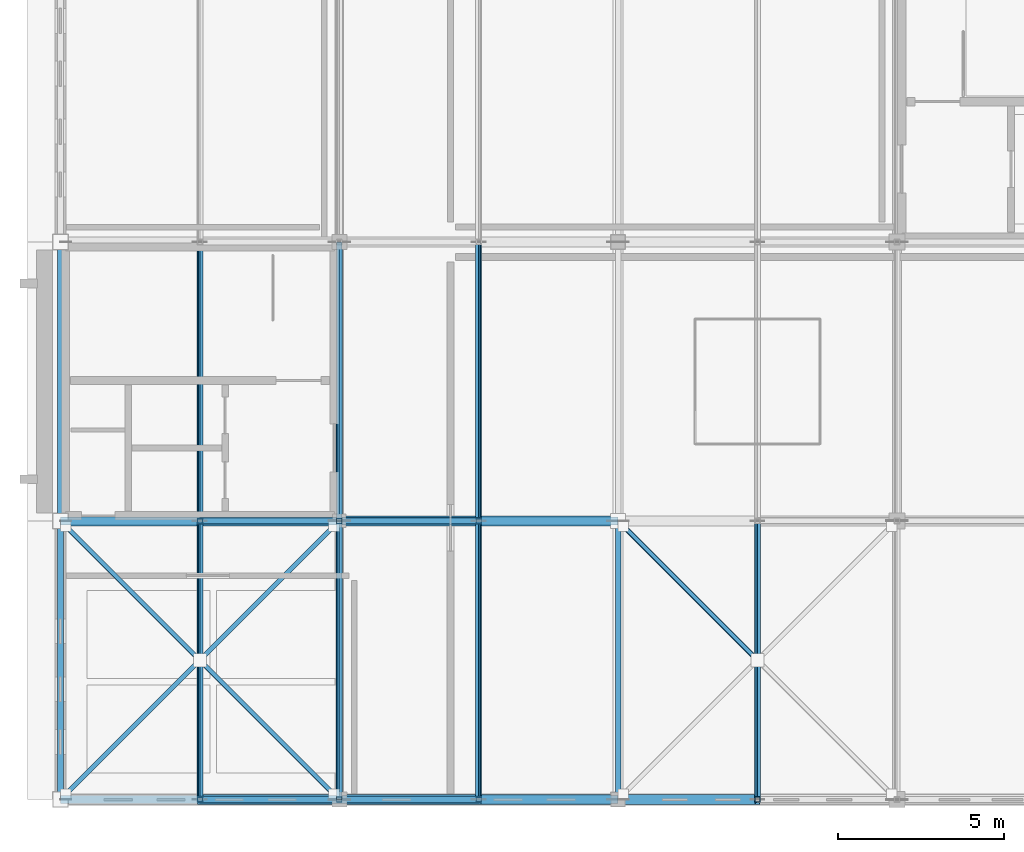
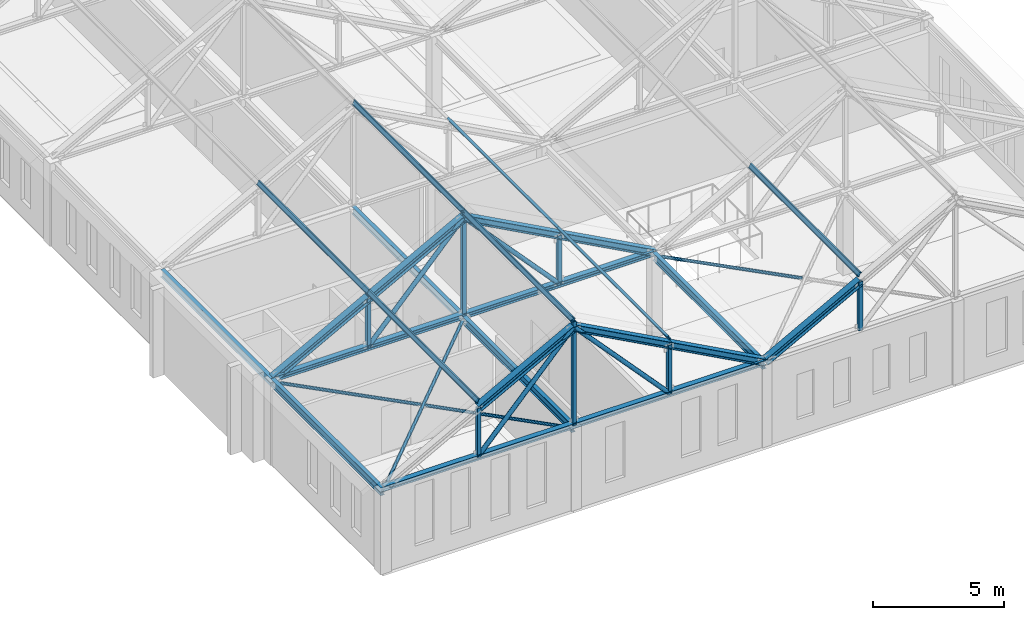
# One storey, part 2 of 36: 32 members, 5 beams.
"""IFC4 building model written with IfcOpenShell, lengths in metres."""

import ifcopenshell
import ifcopenshell.guid

model = None  # the IFC model being written
_history = None  # IfcOwnerHistory: only IFC2X3 demands one
_inside = {}  # id of a spatial element -> (the spatial element, [elements in it])
_under = {}  # id of a project, library or spatial element -> (it, [spatial elements below it])
_declared = {}  # id of a project -> (the project, [libraries it declares])
_typed = {}  # id of a type object -> (the type object, [elements of that type])
_made_of = {}  # id of a material, layer set ... -> (it, [elements and type objects made of it])


def new_model(schema):
    """Start an empty IFC model of exactly this schema.

    Asked for "IFC4X3", IfcOpenShell would pick the latest addendum, in which some entities
    have other attributes; the version numbers below select the first issue.
    IFC2X3 requires an IfcOwnerHistory on every rooted entity: one is made here for all.
    """
    global model, _history
    if schema == "IFC4X3":
        model = ifcopenshell.file(schema_version=(4, 3, 0, 0))
    else:
        model = ifcopenshell.file(schema=schema)
    _inside.clear()
    _under.clear()
    _declared.clear()
    _typed.clear()
    _made_of.clear()
    _history = None
    if model.schema == "IFC2X3":
        org = make("IfcOrganization", Name="unknown")
        user = make(
            "IfcPersonAndOrganization",
            ThePerson=make("IfcPerson", FamilyName="unknown"),
            TheOrganization=org,
        )
        app = make(
            "IfcApplication",
            ApplicationDeveloper=org,
            Version="unknown",
            ApplicationFullName="unknown",
            ApplicationIdentifier="unknown",
        )
        _history = make(
            "IfcOwnerHistory",
            OwningUser=user,
            OwningApplication=app,
            ChangeAction="ADDED",
            CreationDate=0,
        )
    return model


def make(cls, **values):
    """One entity of the class cls with the attributes given. An attribute that is None is left unset."""
    return model.create_entity(
        cls, **{name: value for name, value in values.items() if value is not None}
    )


def rooted(cls, **values):
    """An entity with a GlobalId (a new one), such as an element, a storey or a relation."""
    return make(cls, GlobalId=ifcopenshell.guid.new(), OwnerHistory=_history, **values)


def si_unit(unit_type, name, prefix=None):
    """IfcSIUnit, for example si_unit("LENGTHUNIT", "METRE", prefix="MILLI")."""
    return make("IfcSIUnit", UnitType=unit_type, Prefix=prefix, Name=name)


def assignment(units):
    """IfcUnitAssignment: the units of a project."""
    return None if units is None else make("IfcUnitAssignment", Units=units)


def point(xyz):
    """IfcCartesianPoint."""
    return None if xyz is None else make("IfcCartesianPoint", Coordinates=xyz)


def direction(xyz):
    """IfcDirection."""
    return None if xyz is None else make("IfcDirection", DirectionRatios=xyz)


def frame(location, z_axis=None, x_axis=None):
    """IfcAxis2Placement3D, a coordinate frame: its origin and axes. An axis left out is left unset."""
    return make(
        "IfcAxis2Placement3D",
        Location=point(location),
        Axis=direction(z_axis),
        RefDirection=direction(x_axis),
    )


def frame_2d(location, x_axis=None):
    """IfcAxis2Placement2D, a coordinate frame in the plane: its origin and x axis."""
    return make(
        "IfcAxis2Placement2D", Location=point(location), RefDirection=direction(x_axis)
    )


def origin():
    """The frame at (0, 0, 0) with its axes left unset."""
    return frame((0.0, 0.0, 0.0))


def origin_2d():
    """The frame at (0, 0) in the plane with its x axis left unset."""
    return frame_2d((0.0, 0.0))


def place(relative_to, where):
    """IfcLocalPlacement: puts the frame where relative to a parent placement (None: the world)."""
    return make(
        "IfcLocalPlacement", PlacementRelTo=relative_to, RelativePlacement=where
    )


def context(
    kind, dimensions, precision=None, world=None, true_north=None, identifier=None
):
    """IfcGeometricRepresentationContext, for example the 3D "Model" context."""
    return make(
        "IfcGeometricRepresentationContext",
        ContextIdentifier=identifier,
        ContextType=kind,
        CoordinateSpaceDimension=dimensions,
        Precision=precision,
        WorldCoordinateSystem=world,
        TrueNorth=true_north,
    )


def subcontext(parent, identifier, kind, view, scale=None):
    """IfcGeometricRepresentationSubContext, for example "Body" below "Model"."""
    return make(
        "IfcGeometricRepresentationSubContext",
        ContextIdentifier=identifier,
        ContextType=kind,
        ParentContext=parent,
        TargetScale=scale,
        TargetView=view,
    )


def project(units=None, contexts=None):
    """IfcProject with its units and contexts."""
    return rooted(
        "IfcProject",
        Name="project",
        RepresentationContexts=contexts,
        UnitsInContext=assignment(units),
    )


def spatial(cls, under=None, at=None, **own):
    """A site, building, storey or space (cls), placed at a placement, below another one or the project."""
    s = rooted(cls, ObjectPlacement=at, **own)
    if under is not None:
        _under.setdefault(under.id(), (under, []))[1].append(s)
    return s


def profile(cls, at=None, kind="AREA", **sizes):
    """A parametric profile (cls). Its sizes go by their IFC names, for example OverallWidth=200.0."""
    return make(cls, ProfileType=kind, Position=at, **sizes)


def hollow_rectangle(**sizes):
    """IfcRectangleHollowProfileDef."""
    return profile("IfcRectangleHollowProfileDef", **sizes)


def hollow_circle(**sizes):
    """IfcCircleHollowProfileDef."""
    return profile("IfcCircleHollowProfileDef", **sizes)


def i_section(**sizes):
    """IfcIShapeProfileDef."""
    return profile("IfcIShapeProfileDef", **sizes)


def extrude(swept, where, along, depth):
    """IfcExtrudedAreaSolid: the profile swept, set in the frame where, extruded along a direction by depth."""
    return make(
        "IfcExtrudedAreaSolid",
        SweptArea=swept,
        Position=where,
        ExtrudedDirection=direction(along),
        Depth=depth,
    )


def shape(context_of_items, identifier, shape_type, items):
    """IfcShapeRepresentation: the items that make up one representation, for example the "Body"."""
    return make(
        "IfcShapeRepresentation",
        ContextOfItems=context_of_items,
        RepresentationIdentifier=identifier,
        RepresentationType=shape_type,
        Items=items,
    )


def material(Name=None, Category=None):
    """IfcMaterial."""
    return make("IfcMaterial", Name=Name, Category=Category)


def material_profile(
    of_material, cross_section, Name=None, Category=None, Priority=None
):
    """IfcMaterialProfile: a cross section and its material."""
    return make(
        "IfcMaterialProfile",
        Name=Name,
        Material=of_material,
        Profile=cross_section,
        Priority=Priority,
        Category=Category,
    )


def profile_set(profiles, Name=None, composite=None):
    """IfcMaterialProfileSet."""
    return make(
        "IfcMaterialProfileSet",
        Name=Name,
        MaterialProfiles=profiles,
        CompositeProfile=composite,
    )


def made_of(thing, what):
    """Note that an element or type object is made of a material, layer set ...; save() writes the relation."""
    if what is not None:
        _made_of.setdefault(what.id(), (what, []))[1].append(thing)
    return thing


def type_object(cls, material=None, **own):
    """A type object (cls), such as IfcWallType, which elements share."""
    return made_of(rooted(cls, **own), material)


def element(
    cls,
    number,
    at=None,
    inside=None,
    cuts=None,
    type_object=None,
    material=None,
    context=None,
    identifier="Body",
    shape_type=None,
    held_by="IfcProductDefinitionShape",
    body=None,
    shapes=None,
    **own,
):
    """One element of the class cls, such as IfcWall. Its Tag is "e" and its number.

    at: its placement. inside: the storey or other place that contains it. cuts: it is an
    opening in that element (IfcRelVoidsElement). A single representation is given by context,
    identifier, shape_type and body (its items); several are given by shapes. held_by: the class
    of the entity that holds the representations. save() writes the other relations.
    """
    e = rooted(cls, Tag="e%d" % number, ObjectPlacement=at, **own)
    if body is not None:
        shapes = [shape(context, identifier, shape_type, body)]
    if shapes is not None:
        e.Representation = make(held_by, Representations=shapes)
    if inside is not None:
        _inside.setdefault(inside.id(), (inside, []))[1].append(e)
    if cuts is not None:
        rooted(
            "IfcRelVoidsElement", RelatingBuildingElement=cuts, RelatedOpeningElement=e
        )
    if type_object is not None:
        _typed.setdefault(type_object.id(), (type_object, []))[1].append(e)
    return made_of(e, material)


def aggregate(whole, parts):
    """IfcRelAggregates: a whole, such as a stair, and the parts it consists of."""
    return rooted("IfcRelAggregates", RelatingObject=whole, RelatedObjects=parts)


def save(model, path):
    """Write the relations noted so far, then the file.

    IfcRelAggregates (storeys below a building ...), IfcRelContainedInSpatialStructure (elements
    in a storey), IfcRelDefinesByType, IfcRelAssociatesMaterial and IfcRelDeclares: one each for
    every whole, place, type object, material and project.
    """
    for whole, parts in _under.values():
        aggregate(whole, parts)
    for where, things in _inside.values():
        rooted(
            "IfcRelContainedInSpatialStructure",
            RelatedElements=things,
            RelatingStructure=where,
        )
    for kind, things in _typed.values():
        rooted("IfcRelDefinesByType", RelatedObjects=things, RelatingType=kind)
    for what, things in _made_of.values():
        rooted("IfcRelAssociatesMaterial", RelatedObjects=things, RelatingMaterial=what)
    for by, libraries in _declared.values():
        rooted("IfcRelDeclares", RelatingContext=by, RelatedDefinitions=libraries)
    model.write(path)


model = new_model("IFC4")

# Units and contexts
model_context = context("Model", 3, precision=1e-05, world=origin(), true_north=direction((0.0, 1.0)))
body_context = subcontext(model_context, "Body", "Model", "MODEL_VIEW")
ifc_project = project(units=[si_unit("LENGTHUNIT", "METRE"), si_unit("AREAUNIT", "SQUARE_METRE"), si_unit("VOLUMEUNIT", "CUBIC_METRE"), si_unit("PLANEANGLEUNIT", "RADIAN"), si_unit("MASSUNIT", "GRAM", prefix="KILO")], contexts=[model_context])

# Site, building, storey
site_placement = place(None, origin())
site = spatial("IfcSite", under=ifc_project, at=site_placement, CompositionType="ELEMENT")
building_placement = place(site_placement, origin())
building = spatial("IfcBuilding", under=site, at=building_placement, Name="Kveldsbrygga Polytechnic", CompositionType="ELEMENT")
storey_placement = place(building_placement, frame((0.0, 0.0, 26.179931640625)))
storey = spatial("IfcBuildingStorey", under=building, at=storey_placement, Name="L06", CompositionType="ELEMENT", Elevation=26.179931640625)

# Beams
ifc_material = material(Name="Steel S355", Category="steel")
ifc_material_profile_1 = material_profile(ifc_material, i_section(OverallWidth=0.169921875, OverallDepth=0.360107421875, WebThickness=0.008056640625, FlangeThickness=0.0126953125, FilletRadius=0.01806640625, at=origin_2d()), Name="IPE 360")
ifc_profile_set_1 = profile_set([ifc_material_profile_1], Name="Steel S355")
beam_type = type_object("IfcBeamType", Name="BM-STL-IPE360", PredefinedType="BEAM", material=ifc_profile_set_1)
beam_1_placement = place(storey_placement, frame((126.0, 16.800048828125, 3.66015625), z_axis=(0.0, 1.0, 0.0), x_axis=(-1.0, 0.0, 0.0)))
element("IfcBeam", 1, at=beam_1_placement, inside=storey, type_object=beam_type, Name="Attic Eaves Tie Beam BMY-L06-TOP-15-02", PredefinedType="BEAM", context=body_context, shape_type="SweptSolid", body=[
    extrude(i_section(OverallWidth=0.169921875, OverallDepth=0.360107421875, WebThickness=0.008056640625, FlangeThickness=0.0126953125, FilletRadius=0.01806640625, at=origin_2d()), origin(), (0.0, 0.0, 1.0), 8.39990234375),
])
beam_2_placement = place(storey_placement, frame((126.0, 25.199951171875, 3.66015625), z_axis=(0.0, 1.0, 0.0), x_axis=(-1.0, 0.0, 0.0)))
element("IfcBeam", 2, at=beam_2_placement, inside=storey, type_object=beam_type, Name="Attic Eaves Tie Beam BMY-L06-TOP-15-03", PredefinedType="BEAM", context=body_context, shape_type="SweptSolid", body=[
    extrude(i_section(OverallWidth=0.169921875, OverallDepth=0.360107421875, WebThickness=0.008056640625, FlangeThickness=0.0126953125, FilletRadius=0.01806640625, at=origin_2d()), origin(), (0.0, 0.0, 1.0), 8.400146484375),
])
beam_3_placement = place(storey_placement, frame((134.39990234375, 16.800048828125, 3.66015625), z_axis=(0.0, 1.0, 0.0), x_axis=(-1.0, 0.0, 0.0)))
element("IfcBeam", 3, at=beam_3_placement, inside=storey, type_object=beam_type, Name="Attic Eaves Tie Beam BMY-L06-TOP-16-02", PredefinedType="BEAM", context=body_context, shape_type="SweptSolid", body=[
    extrude(i_section(OverallWidth=0.169921875, OverallDepth=0.360107421875, WebThickness=0.008056640625, FlangeThickness=0.0126953125, FilletRadius=0.01806640625, at=origin_2d()), origin(), (0.0, 0.0, 1.0), 8.39990234375),
])
beam_4_placement = place(storey_placement, frame((134.39990234375, 25.199951171875, 3.66015625), z_axis=(0.0, 1.0, 0.0), x_axis=(-1.0, 0.0, 0.0)))
element("IfcBeam", 4, at=beam_4_placement, inside=storey, type_object=beam_type, Name="Attic Eaves Tie Beam BMY-L06-TOP-16-03", PredefinedType="BEAM", context=body_context, shape_type="SweptSolid", body=[
    extrude(i_section(OverallWidth=0.169921875, OverallDepth=0.360107421875, WebThickness=0.008056640625, FlangeThickness=0.0126953125, FilletRadius=0.01806640625, at=origin_2d()), origin(), (0.0, 0.0, 1.0), 8.400146484375),
])
beam_5_placement = place(storey_placement, frame((142.800048828125, 16.800048828125, 3.66015625), z_axis=(0.0, 1.0, 0.0), x_axis=(-1.0, 0.0, 0.0)))
element("IfcBeam", 5, at=beam_5_placement, inside=storey, type_object=beam_type, Name="Attic Eaves Tie Beam BMY-L06-TOP-17-02", PredefinedType="BEAM", context=body_context, shape_type="SweptSolid", body=[
    extrude(i_section(OverallWidth=0.169921875, OverallDepth=0.360107421875, WebThickness=0.008056640625, FlangeThickness=0.0126953125, FilletRadius=0.01806640625, at=origin_2d()), origin(), (0.0, 0.0, 1.0), 8.39990234375),
])

# Members
ifc_material_profile_2 = material_profile(ifc_material, hollow_circle(Radius=0.06982421875, WallThickness=0.008056640625, at=origin_2d()), Name="CHS 139.7x8.0")
ifc_profile_set_2 = profile_set([ifc_material_profile_2], Name="Steel S355")
member_type_1 = type_object("IfcMemberType", Name="BR-ROOF-CHS140", PredefinedType="BRACE", material=ifc_profile_set_2)
member_1_placement = place(storey_placement, frame((126.0, 16.800048828125, 3.670166015625), z_axis=(0.707106781187, 0.707106781187, 0.0), x_axis=(-0.707106781187, 0.707106781187, 0.0)))
element("IfcMember", 6, at=member_1_placement, inside=storey, type_object=member_type_1, Name="Attic Eaves Continuous Wind Brace RBR-L06-15-2-A", PredefinedType="BRACE", context=body_context, shape_type="SweptSolid", body=[
    extrude(hollow_circle(Radius=0.06982421875, WallThickness=0.008056640625, at=origin_2d()), origin(), (0.0, 0.0, 1.0), 11.879150390625),
])
for number, where, z_axis, x_axis, name in (
    (7, (126.0, 25.199951171875, 3.670166015625), (0.707127648719, -0.707085913038, 0.0), (0.707085913038, 0.707127648719, 0.0), "Attic Eaves Split Wind Brace RBR-L06-15-2-B1"),
    (8, (130.263671875, 20.936279296875, 3.670166015625), (0.707106781187, -0.707106781187, 0.0), (0.707106781187, 0.707106781187, 0.0), "Attic Eaves Split Wind Brace RBR-L06-15-2-B2"),
    (9, (142.800048828125, 25.199951171875, 3.670166015625), (0.707106781187, -0.707106781187, 0.0), (0.707106781187, 0.707106781187, 0.0), "Attic Eaves Split Wind Brace RBR-L06-17-2-B1"),
):
    element("IfcMember", number, at=place(storey_placement, frame(where, z_axis=z_axis, x_axis=x_axis)), inside=storey, type_object=member_type_1, Name=name, PredefinedType="BRACE", context=body_context, shape_type="SweptSolid", body=[
        extrude(hollow_circle(Radius=0.06982421875, WallThickness=0.008056640625, at=origin_2d()), origin(), (0.0, 0.0, 1.0), 5.849609375),
    ])
ifc_material_profile_3 = material_profile(ifc_material, i_section(OverallWidth=0.10009765625, OverallDepth=0.199951171875, WebThickness=0.005615234375, FlangeThickness=0.008544921875, FilletRadius=0.011962890625, at=origin_2d()), Name="IPE 200")
ifc_profile_set_3 = profile_set([ifc_material_profile_3], Name="Steel S355")
member_type_2 = type_object("IfcMemberType", Name="PRL-IPE200", PredefinedType="PURLIN", material=ifc_profile_set_3)
for number, where, z_axis, x_axis, name in (
    (10, (130.199951171875, 16.800048828125, 6.393798828125), (0.0, 1.0, 0.0), (-0.879292204483, 0.0, 0.476282709256), "Roof Purlin V4M1-PRL-1-1"),
    (11, (134.39990234375, 16.800048828125, 8.668701171875), (0.0, 1.0, 0.0), (-0.879292204483, 0.0, 0.476282709256), "Roof Purlin V4M1-PRL-1-2"),
    (12, (138.60009765625, 16.800048828125, 6.393798828125), (0.0, 1.0, 0.0), (-0.879292204483, 0.0, -0.476282709256), "Roof Purlin V4M1-PRL-1-3"),
):
    element("IfcMember", number, at=place(storey_placement, frame(where, z_axis=z_axis, x_axis=x_axis)), inside=storey, type_object=member_type_2, Name=name, PredefinedType="PURLIN", context=body_context, shape_type="SweptSolid", body=[
        extrude(i_section(OverallWidth=0.10009765625, OverallDepth=0.199951171875, WebThickness=0.005615234375, FlangeThickness=0.008544921875, FilletRadius=0.011962890625, at=origin_2d()), origin(), (0.0, 0.0, 1.0), 8.39990234375),
    ])
for number, where, z_axis, x_axis, name in (
    (13, (130.199951171875, 25.199951171875, 6.393798828125), (0.0, 1.0, 0.0), (-0.879292204483, 0.0, 0.476282709256), "Roof Purlin V4M1-PRL-2-1"),
    (14, (134.39990234375, 25.199951171875, 8.668701171875), (0.0, 1.0, 0.0), (-0.879292204483, 0.0, 0.476282709256), "Roof Purlin V4M1-PRL-2-2"),
    (15, (138.60009765625, 25.199951171875, 6.393798828125), (0.0, 1.0, 0.0), (-0.879292204483, 0.0, -0.476282709256), "Roof Purlin V4M1-PRL-2-3"),
):
    element("IfcMember", number, at=place(storey_placement, frame(where, z_axis=z_axis, x_axis=x_axis)), inside=storey, type_object=member_type_2, Name=name, PredefinedType="PURLIN", context=body_context, shape_type="SweptSolid", body=[
        extrude(i_section(OverallWidth=0.10009765625, OverallDepth=0.199951171875, WebThickness=0.005615234375, FlangeThickness=0.008544921875, FilletRadius=0.011962890625, at=origin_2d()), origin(), (0.0, 0.0, 1.0), 8.400146484375),
    ])
member_2_placement = place(storey_placement, frame((147.0, 16.800048828125, 6.393798828125), z_axis=(0.0, 1.0, 0.0), x_axis=(-0.879292204483, 0.0, 0.476282709256)))
element("IfcMember", 16, at=member_2_placement, inside=storey, type_object=member_type_2, Name="Roof Purlin V4M2-PRL-1-1", PredefinedType="PURLIN", context=body_context, shape_type="SweptSolid", body=[
    extrude(i_section(OverallWidth=0.10009765625, OverallDepth=0.199951171875, WebThickness=0.005615234375, FlangeThickness=0.008544921875, FilletRadius=0.011962890625, at=origin_2d()), origin(), (0.0, 0.0, 1.0), 8.39990234375),
])
ifc_material_profile_4 = material_profile(ifc_material, i_section(OverallWidth=0.239990234375, OverallDepth=0.22998046875, WebThickness=0.007568359375, FlangeThickness=0.011962890625, FilletRadius=0.02099609375, at=origin_2d()), Name="HEA 240")
ifc_profile_set_4 = profile_set([ifc_material_profile_4], Name="Steel S355")
member_type_3 = type_object("IfcMemberType", Name="TR-BOT-HEA240", PredefinedType="CHORD", material=ifc_profile_set_4)
for number, where, z_axis, x_axis, name in (
    (17, (126.0, 16.800048828125, 3.840087890625), (1.0, 0.0, 0.0), (0.0, 1.0, 0.0), "Truss Bottom Chord V4M1-T01-BC-1"),
    (18, (126.0, 25.199951171875, 3.840087890625), (1.0, 0.0, 0.0), (0.0, 1.0, 0.0), "Truss Bottom Chord V4M1-T02-BC-1"),
):
    element("IfcMember", number, at=place(storey_placement, frame(where, z_axis=z_axis, x_axis=x_axis)), inside=storey, type_object=member_type_3, Name=name, PredefinedType="CHORD", context=body_context, shape_type="SweptSolid", body=[
        extrude(i_section(OverallWidth=0.239990234375, OverallDepth=0.22998046875, WebThickness=0.007568359375, FlangeThickness=0.011962890625, FilletRadius=0.02099609375, at=origin_2d()), origin(), (0.0, 0.0, 1.0), 16.800048828125),
    ])
ifc_material_profile_5 = material_profile(ifc_material, hollow_circle(Radius=0.096923828125, WallThickness=0.010009765625, at=origin_2d()), Name="CHS 193.7x10.0")
ifc_profile_set_5 = profile_set([ifc_material_profile_5], Name="Steel S355")
member_type_4 = type_object("IfcMemberType", Name="TR-DIAG-CHS194", PredefinedType="BRACE", material=ifc_profile_set_5)
member_3_placement = place(storey_placement, frame((130.199951171875, 16.800048828125, 3.840087890625), z_axis=(0.678271914864, 0.0, 0.734811002576), x_axis=(0.0, 1.0, 0.0)))
element("IfcMember", 19, at=member_3_placement, inside=storey, type_object=member_type_4, Name="Truss Diagonal V4M1-T01-DG-2", PredefinedType="BRACE", context=body_context, shape_type="SweptSolid", body=[
    extrude(hollow_circle(Radius=0.096923828125, WallThickness=0.010009765625, at=origin_2d()), origin(), (0.0, 0.0, 1.0), 6.192138671875),
])
member_4_placement = place(storey_placement, frame((134.39990234375, 16.800048828125, 8.39013671875), z_axis=(0.678293202798, 0.0, -0.734791352043), x_axis=(0.0, 1.0, 0.0)))
element("IfcMember", 20, at=member_4_placement, inside=storey, type_object=member_type_4, Name="Truss Diagonal V4M1-T01-DG-3", PredefinedType="BRACE", context=body_context, shape_type="SweptSolid", body=[
    extrude(hollow_circle(Radius=0.096923828125, WallThickness=0.010009765625, at=origin_2d()), origin(), (0.0, 0.0, 1.0), 6.1923828125),
])
member_5_placement = place(storey_placement, frame((130.199951171875, 25.199951171875, 3.840087890625), z_axis=(0.678271914864, 0.0, 0.734811002576), x_axis=(0.0, 1.0, 0.0)))
element("IfcMember", 21, at=member_5_placement, inside=storey, type_object=member_type_4, Name="Truss Diagonal V4M1-T02-DG-2", PredefinedType="BRACE", context=body_context, shape_type="SweptSolid", body=[
    extrude(hollow_circle(Radius=0.096923828125, WallThickness=0.010009765625, at=origin_2d()), origin(), (0.0, 0.0, 1.0), 6.192138671875),
])
member_6_placement = place(storey_placement, frame((134.39990234375, 25.199951171875, 8.39013671875), z_axis=(0.678293202798, 0.0, -0.734791352043), x_axis=(0.0, 1.0, 0.0)))
element("IfcMember", 22, at=member_6_placement, inside=storey, type_object=member_type_4, Name="Truss Diagonal V4M1-T02-DG-3", PredefinedType="BRACE", context=body_context, shape_type="SweptSolid", body=[
    extrude(hollow_circle(Radius=0.096923828125, WallThickness=0.010009765625, at=origin_2d()), origin(), (0.0, 0.0, 1.0), 6.1923828125),
])
ifc_material_profile_6 = material_profile(ifc_material, hollow_rectangle(XDim=0.159912109375, YDim=0.159912109375, WallThickness=0.010009765625, at=origin_2d()), Name="SHS 160x160x10.0")
ifc_profile_set_6 = profile_set([ifc_material_profile_6], Name="Steel S355")
member_type_5 = type_object("IfcMemberType", Name="TR-POST-SHS160", PredefinedType="STRUT", material=ifc_profile_set_6)
member_7_placement = place(storey_placement, frame((130.199951171875, 16.800048828125, 3.840087890625), z_axis=(0.0, 0.0, 1.0), x_axis=(1.0, 0.0, 0.0)))
element("IfcMember", 23, at=member_7_placement, inside=storey, type_object=member_type_5, Name="Truss Vertical V4M1-T01-VT-1", PredefinedType="STRUT", context=body_context, shape_type="SweptSolid", body=[
    extrude(hollow_rectangle(XDim=0.159912109375, YDim=0.159912109375, WallThickness=0.010009765625, at=origin_2d()), origin(), (0.0, 0.0, 1.0), 2.27490234375),
])
member_8_placement = place(storey_placement, frame((134.39990234375, 16.800048828125, 3.840087890625), z_axis=(0.0, 0.0, 1.0), x_axis=(1.0, 0.0, 0.0)))
element("IfcMember", 24, at=member_8_placement, inside=storey, type_object=member_type_5, Name="Truss Vertical V4M1-T01-VT-2", PredefinedType="STRUT", context=body_context, shape_type="SweptSolid", body=[
    extrude(hollow_rectangle(XDim=0.159912109375, YDim=0.159912109375, WallThickness=0.010009765625, at=origin_2d()), origin(), (0.0, 0.0, 1.0), 4.82861328125),
])
for number, where, z_axis, x_axis, name in (
    (25, (138.60009765625, 16.800048828125, 3.840087890625), (0.0, 0.0, 1.0), (1.0, 0.0, 0.0), "Truss Vertical V4M1-T01-VT-3"),
    (26, (130.199951171875, 25.199951171875, 3.840087890625), (0.0, 0.0, 1.0), (1.0, 0.0, 0.0), "Truss Vertical V4M1-T02-VT-1"),
):
    element("IfcMember", number, at=place(storey_placement, frame(where, z_axis=z_axis, x_axis=x_axis)), inside=storey, type_object=member_type_5, Name=name, PredefinedType="STRUT", context=body_context, shape_type="SweptSolid", body=[
        extrude(hollow_rectangle(XDim=0.159912109375, YDim=0.159912109375, WallThickness=0.010009765625, at=origin_2d()), origin(), (0.0, 0.0, 1.0), 2.27490234375),
    ])
member_9_placement = place(storey_placement, frame((134.39990234375, 25.199951171875, 3.840087890625), z_axis=(0.0, 0.0, 1.0), x_axis=(1.0, 0.0, 0.0)))
element("IfcMember", 27, at=member_9_placement, inside=storey, type_object=member_type_5, Name="Truss Vertical V4M1-T02-VT-2", PredefinedType="STRUT", context=body_context, shape_type="SweptSolid", body=[
    extrude(hollow_rectangle(XDim=0.159912109375, YDim=0.159912109375, WallThickness=0.010009765625, at=origin_2d()), origin(), (0.0, 0.0, 1.0), 4.82861328125),
])
for number, where, z_axis, x_axis, name in (
    (28, (138.60009765625, 25.199951171875, 3.840087890625), (0.0, 0.0, 1.0), (1.0, 0.0, 0.0), "Truss Vertical V4M1-T02-VT-3"),
    (29, (147.0, 16.800048828125, 3.840087890625), (0.0, 0.0, 1.0), (1.0, 0.0, 0.0), "Truss Vertical V4M2-T01-VT-1"),
):
    element("IfcMember", number, at=place(storey_placement, frame(where, z_axis=z_axis, x_axis=x_axis)), inside=storey, type_object=member_type_5, Name=name, PredefinedType="STRUT", context=body_context, shape_type="SweptSolid", body=[
        extrude(hollow_rectangle(XDim=0.159912109375, YDim=0.159912109375, WallThickness=0.010009765625, at=origin_2d()), origin(), (0.0, 0.0, 1.0), 2.27490234375),
    ])
ifc_material_profile_7 = material_profile(ifc_material, i_section(OverallWidth=0.300048828125, OverallDepth=0.2900390625, WebThickness=0.008544921875, FlangeThickness=0.013916015625, FilletRadius=0.027099609375, at=origin_2d()), Name="HEA 300")
ifc_profile_set_7 = profile_set([ifc_material_profile_7], Name="Steel S355")
member_type_6 = type_object("IfcMemberType", Name="TR-TOP-HEA300", PredefinedType="CHORD", material=ifc_profile_set_7)
member_10_placement = place(storey_placement, frame((130.199951171875, 16.800048828125, 6.114990234375), z_axis=(0.879276804059, 0.0, 0.476311139744), x_axis=(0.0, 1.0, 0.0)))
element("IfcMember", 30, at=member_10_placement, inside=storey, type_object=member_type_6, Name="Truss Top Chord V4M1-T01-TC-2", PredefinedType="CHORD", context=body_context, shape_type="SweptSolid", body=[
    extrude(i_section(OverallWidth=0.300048828125, OverallDepth=0.2900390625, WebThickness=0.008544921875, FlangeThickness=0.013916015625, FilletRadius=0.027099609375, at=origin_2d()), origin(), (0.0, 0.0, 1.0), 4.776611328125),
])
member_11_placement = place(storey_placement, frame((134.39990234375, 16.800048828125, 8.39013671875), z_axis=(0.879288399135, 0.0, -0.476289734454), x_axis=(0.0, 1.0, 0.0)))
element("IfcMember", 31, at=member_11_placement, inside=storey, type_object=member_type_6, Name="Truss Top Chord V4M1-T01-TC-3", PredefinedType="CHORD", context=body_context, shape_type="SweptSolid", body=[
    extrude(i_section(OverallWidth=0.300048828125, OverallDepth=0.2900390625, WebThickness=0.008544921875, FlangeThickness=0.013916015625, FilletRadius=0.027099609375, at=origin_2d()), origin(), (0.0, 0.0, 1.0), 4.77685546875),
])
for number, where, z_axis, x_axis, name in (
    (32, (138.60009765625, 16.800048828125, 6.114990234375), (0.879298209803, 0.0, -0.47627162233), (0.0, 1.0, 0.0), "Truss Top Chord V4M1-T01-TC-4"),
    (33, (126.0, 25.199951171875, 3.840087890625), (0.879298209803, 0.0, 0.47627162233), (0.0, 1.0, 0.0), "Truss Top Chord V4M1-T02-TC-1"),
):
    element("IfcMember", number, at=place(storey_placement, frame(where, z_axis=z_axis, x_axis=x_axis)), inside=storey, type_object=member_type_6, Name=name, PredefinedType="CHORD", context=body_context, shape_type="SweptSolid", body=[
        extrude(i_section(OverallWidth=0.300048828125, OverallDepth=0.2900390625, WebThickness=0.008544921875, FlangeThickness=0.013916015625, FilletRadius=0.027099609375, at=origin_2d()), origin(), (0.0, 0.0, 1.0), 4.7763671875),
    ])
member_12_placement = place(storey_placement, frame((130.199951171875, 25.199951171875, 6.114990234375), z_axis=(0.879276804059, 0.0, 0.476311139744), x_axis=(0.0, 1.0, 0.0)))
element("IfcMember", 34, at=member_12_placement, inside=storey, type_object=member_type_6, Name="Truss Top Chord V4M1-T02-TC-2", PredefinedType="CHORD", context=body_context, shape_type="SweptSolid", body=[
    extrude(i_section(OverallWidth=0.300048828125, OverallDepth=0.2900390625, WebThickness=0.008544921875, FlangeThickness=0.013916015625, FilletRadius=0.027099609375, at=origin_2d()), origin(), (0.0, 0.0, 1.0), 4.776611328125),
])
member_13_placement = place(storey_placement, frame((134.39990234375, 25.199951171875, 8.39013671875), z_axis=(0.879288399135, 0.0, -0.476289734454), x_axis=(0.0, 1.0, 0.0)))
element("IfcMember", 35, at=member_13_placement, inside=storey, type_object=member_type_6, Name="Truss Top Chord V4M1-T02-TC-3", PredefinedType="CHORD", context=body_context, shape_type="SweptSolid", body=[
    extrude(i_section(OverallWidth=0.300048828125, OverallDepth=0.2900390625, WebThickness=0.008544921875, FlangeThickness=0.013916015625, FilletRadius=0.027099609375, at=origin_2d()), origin(), (0.0, 0.0, 1.0), 4.77685546875),
])
for number, where, z_axis, x_axis, name in (
    (36, (138.60009765625, 25.199951171875, 6.114990234375), (0.879298209803, 0.0, -0.47627162233), (0.0, 1.0, 0.0), "Truss Top Chord V4M1-T02-TC-4"),
    (37, (142.800048828125, 16.800048828125, 3.840087890625), (0.879298209803, 0.0, 0.47627162233), (0.0, 1.0, 0.0), "Truss Top Chord V4M2-T01-TC-1"),
):
    element("IfcMember", number, at=place(storey_placement, frame(where, z_axis=z_axis, x_axis=x_axis)), inside=storey, type_object=member_type_6, Name=name, PredefinedType="CHORD", context=body_context, shape_type="SweptSolid", body=[
        extrude(i_section(OverallWidth=0.300048828125, OverallDepth=0.2900390625, WebThickness=0.008544921875, FlangeThickness=0.013916015625, FilletRadius=0.027099609375, at=origin_2d()), origin(), (0.0, 0.0, 1.0), 4.7763671875),
    ])

save(model, "model.ifc")
